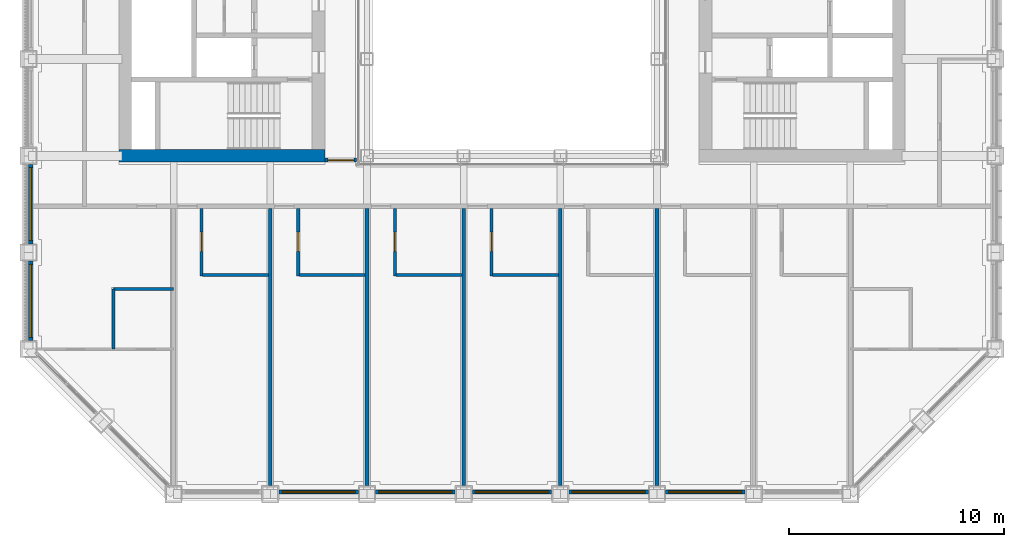
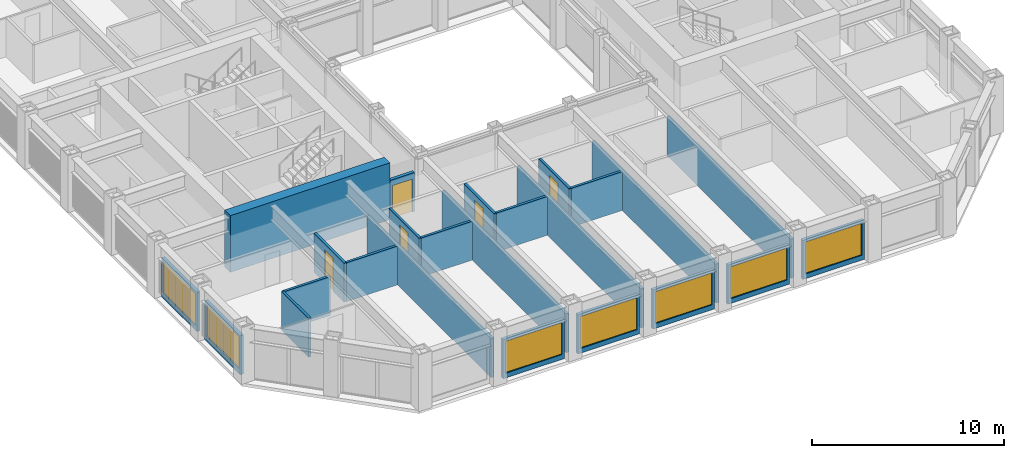
# One storey, part 10 of 18: 24 walls, 7 windows, 5 doors, 12 openings.
"""IFC4 building model written with IfcOpenShell, lengths in metres."""

from ifc_helpers import new_model, si_unit, direction, frame, frame_2d, origin, place, context, subcontext, project, spatial, rectangle, extrude, material, layer, layer_set, type_object, element, fill, save


model = new_model("IFC4")

# Units and contexts
model_context = context("Model", 3, precision=1e-05, world=origin(), true_north=direction((0.0, 1.0)))
body_context = subcontext(model_context, "Body", "Model", "MODEL_VIEW")
ifc_project = project(units=[si_unit("LENGTHUNIT", "METRE"), si_unit("AREAUNIT", "SQUARE_METRE"), si_unit("VOLUMEUNIT", "CUBIC_METRE"), si_unit("PLANEANGLEUNIT", "RADIAN"), si_unit("MASSUNIT", "GRAM", prefix="KILO")], contexts=[model_context])

# Site, building, storey
site_placement = place(None, origin())
site = spatial("IfcSite", under=ifc_project, at=site_placement, CompositionType="ELEMENT")
building_placement = place(site_placement, origin())
building = spatial("IfcBuilding", under=site, at=building_placement, Name="Msasa Ring Tower", CompositionType="ELEMENT")
storey_placement = place(building_placement, frame((0.0, 0.0, 118.39990234375)))
storey = spatial("IfcBuildingStorey", under=building, at=storey_placement, Name="L30", CompositionType="ELEMENT", Elevation=118.39990234375)

# Wall
ifc_material_1 = material(Name="Concrete C60/75", Category="concrete")
ifc_layer_1 = layer(ifc_material_1, 0.60009765625)
ifc_layer_set_1 = layer_set([ifc_layer_1], Name="CW2 CORE WALL 600")
wall_type_1 = type_object("IfcWallType", Name="CW2 CORE WALL 600", PredefinedType="SHEAR", material=ifc_layer_set_1)
wall_1_placement = place(storey_placement, frame((-8.699951171875, -6.75, 0.0), z_axis=(0.0, 0.0, 1.0), x_axis=(-1.0, 0.0, 0.0)))
element("IfcWall", 1, at=wall_1_placement, inside=storey, type_object=wall_type_1, Name="W core wall S L30", PredefinedType="SHEAR", context=body_context, shape_type="SweptSolid", body=[
    extrude(rectangle(XDim=9.60009765625, YDim=0.60009765625, at=frame_2d((4.800048828125, 0.0))), origin(), (0.0, 0.0, 1.0), 3.60009765625),
])

# Wall, opening, window
ifc_material_2 = material(Name="Terracotta rainscreen on blockwork", Category="masonry")
ifc_layer_2 = layer(ifc_material_2, 0.199951171875)
ifc_layer_set_2 = layer_set([ifc_layer_2], Name="FW1 TERRACOTTA-LINED INFILL BAY WALL 200")
wall_type_2 = type_object("IfcWallType", Name="FW1 TERRACOTTA-LINED INFILL BAY WALL 200", PredefinedType="SOLIDWALL", material=ifc_layer_set_2)
wall_2_placement = place(storey_placement, frame((-10.844970703125, -22.39990234375, 0.0), z_axis=(0.0, 0.0, 1.0), x_axis=(1.0, 0.0, 0.0)))
wall_2 = element("IfcWall", 2, at=wall_2_placement, inside=storey, type_object=wall_type_2, Name="Infill bay wall S L30 01", PredefinedType="SOLIDWALL", context=body_context, shape_type="SweptSolid", body=[
    extrude(rectangle(XDim=3.68994140625, YDim=0.199951171875, at=frame_2d((1.844970703125, 0.0))), origin(), (0.0, 0.0, 1.0), 2.47900390625),
])
opening_1_placement = place(wall_2_placement, frame((0.14501953125, 0.0, 0.300048828125)))
opening_1 = element("IfcOpeningElement", 3, at=opening_1_placement, cuts=wall_2, Name="Opening WN2", PredefinedType="OPENING", context=body_context, shape_type="SweptSolid", body=[
    extrude(rectangle(XDim=3.39990234375, YDim=2.029052734375, at=frame_2d((1.699951171875, 1.0146484375))), frame((0.0, 0.10986328125, 0.0), z_axis=(0.0, -1.0, 0.0), x_axis=(1.0, 0.0, 0.0)), (0.0, 0.0, 1.0), 0.219970703125),
])
ifc_material_3 = material(Name="Aluminium frame with clear glass", Category="aluminium")
window_type = type_object("IfcWindowType", Name="WN2 GUEST ROOM WINDOW 3400x2029", PartitioningType="SINGLE_PANEL", PredefinedType="WINDOW", material=ifc_material_3)
window_1_placement = place(opening_1_placement, origin())
window_1 = element("IfcWindow", 4, at=window_1_placement, inside=storey, type_object=window_type, Name="Window S L30 01", OverallHeight=2.029052734375, OverallWidth=3.39990234375, PartitioningType="SINGLE_PANEL", PredefinedType="WINDOW", context=body_context, shape_type="SweptSolid", body=[
    extrude(rectangle(XDim=3.39990234375, YDim=2.029052734375, at=frame_2d((1.699951171875, 1.0146484375))), frame((0.0, 0.030029296875, 0.0), z_axis=(0.0, -1.0, 0.0), x_axis=(1.0, 0.0, 0.0)), (0.0, 0.0, 1.0), 0.06005859375),
])
fill(opening_1, window_1)

wall_3_placement = place(storey_placement, frame((-6.344970703125, -22.39990234375, 0.0), z_axis=(0.0, 0.0, 1.0), x_axis=(1.0, 0.0, 0.0)))
wall_3 = element("IfcWall", 5, at=wall_3_placement, inside=storey, type_object=wall_type_2, Name="Infill bay wall S L30 02", PredefinedType="SOLIDWALL", context=body_context, shape_type="SweptSolid", body=[
    extrude(rectangle(XDim=3.68994140625, YDim=0.199951171875, at=frame_2d((1.844970703125, 0.0))), origin(), (0.0, 0.0, 1.0), 2.47900390625),
])
opening_2_placement = place(wall_3_placement, frame((0.14501953125, 0.0, 0.300048828125)))
opening_2 = element("IfcOpeningElement", 6, at=opening_2_placement, cuts=wall_3, Name="Opening WN2", PredefinedType="OPENING", context=body_context, shape_type="SweptSolid", body=[
    extrude(rectangle(XDim=3.39990234375, YDim=2.029052734375, at=frame_2d((1.699951171875, 1.0146484375))), frame((0.0, 0.10986328125, 0.0), z_axis=(0.0, -1.0, 0.0), x_axis=(1.0, 0.0, 0.0)), (0.0, 0.0, 1.0), 0.219970703125),
])
window_2_placement = place(opening_2_placement, origin())
window_2 = element("IfcWindow", 7, at=window_2_placement, inside=storey, type_object=window_type, Name="Window S L30 02", OverallHeight=2.029052734375, OverallWidth=3.39990234375, PartitioningType="SINGLE_PANEL", PredefinedType="WINDOW", context=body_context, shape_type="SweptSolid", body=[
    extrude(rectangle(XDim=3.39990234375, YDim=2.029052734375, at=frame_2d((1.699951171875, 1.0146484375))), frame((0.0, 0.030029296875, 0.0), z_axis=(0.0, -1.0, 0.0), x_axis=(1.0, 0.0, 0.0)), (0.0, 0.0, 1.0), 0.06005859375),
])
fill(opening_2, window_2)

wall_4_placement = place(storey_placement, frame((-1.844970703125, -22.39990234375, 0.0), z_axis=(0.0, 0.0, 1.0), x_axis=(1.0, 0.0, 0.0)))
wall_4 = element("IfcWall", 8, at=wall_4_placement, inside=storey, type_object=wall_type_2, Name="Infill bay wall S L30 03", PredefinedType="SOLIDWALL", context=body_context, shape_type="SweptSolid", body=[
    extrude(rectangle(XDim=3.68994140625, YDim=0.199951171875, at=frame_2d((1.844970703125, 0.0))), origin(), (0.0, 0.0, 1.0), 2.47900390625),
])
opening_3_placement = place(wall_4_placement, frame((0.14501953125, 0.0, 0.300048828125)))
opening_3 = element("IfcOpeningElement", 9, at=opening_3_placement, cuts=wall_4, Name="Opening WN2", PredefinedType="OPENING", context=body_context, shape_type="SweptSolid", body=[
    extrude(rectangle(XDim=3.39990234375, YDim=2.029052734375, at=frame_2d((1.699951171875, 1.0146484375))), frame((0.0, 0.10986328125, 0.0), z_axis=(0.0, -1.0, 0.0), x_axis=(1.0, 0.0, 0.0)), (0.0, 0.0, 1.0), 0.219970703125),
])
window_3_placement = place(opening_3_placement, origin())
window_3 = element("IfcWindow", 10, at=window_3_placement, inside=storey, type_object=window_type, Name="Window S L30 03", OverallHeight=2.029052734375, OverallWidth=3.39990234375, PartitioningType="SINGLE_PANEL", PredefinedType="WINDOW", context=body_context, shape_type="SweptSolid", body=[
    extrude(rectangle(XDim=3.39990234375, YDim=2.029052734375, at=frame_2d((1.699951171875, 1.0146484375))), frame((0.0, 0.030029296875, 0.0), z_axis=(0.0, -1.0, 0.0), x_axis=(1.0, 0.0, 0.0)), (0.0, 0.0, 1.0), 0.06005859375),
])
fill(opening_3, window_3)

wall_5_placement = place(storey_placement, frame((2.655029296875, -22.39990234375, 0.0), z_axis=(0.0, 0.0, 1.0), x_axis=(1.0, 0.0, 0.0)))
wall_5 = element("IfcWall", 11, at=wall_5_placement, inside=storey, type_object=wall_type_2, Name="Infill bay wall S L30 04", PredefinedType="SOLIDWALL", context=body_context, shape_type="SweptSolid", body=[
    extrude(rectangle(XDim=3.68994140625, YDim=0.199951171875, at=frame_2d((1.844970703125, 0.0))), origin(), (0.0, 0.0, 1.0), 2.47900390625),
])
opening_4_placement = place(wall_5_placement, frame((0.14501953125, 0.0, 0.300048828125)))
opening_4 = element("IfcOpeningElement", 12, at=opening_4_placement, cuts=wall_5, Name="Opening WN2", PredefinedType="OPENING", context=body_context, shape_type="SweptSolid", body=[
    extrude(rectangle(XDim=3.39990234375, YDim=2.029052734375, at=frame_2d((1.699951171875, 1.0146484375))), frame((0.0, 0.10986328125, 0.0), z_axis=(0.0, -1.0, 0.0), x_axis=(1.0, 0.0, 0.0)), (0.0, 0.0, 1.0), 0.219970703125),
])
window_4_placement = place(opening_4_placement, origin())
window_4 = element("IfcWindow", 13, at=window_4_placement, inside=storey, type_object=window_type, Name="Window S L30 04", OverallHeight=2.029052734375, OverallWidth=3.39990234375, PartitioningType="SINGLE_PANEL", PredefinedType="WINDOW", context=body_context, shape_type="SweptSolid", body=[
    extrude(rectangle(XDim=3.39990234375, YDim=2.029052734375, at=frame_2d((1.699951171875, 1.0146484375))), frame((0.0, 0.030029296875, 0.0), z_axis=(0.0, -1.0, 0.0), x_axis=(1.0, 0.0, 0.0)), (0.0, 0.0, 1.0), 0.06005859375),
])
fill(opening_4, window_4)

wall_6_placement = place(storey_placement, frame((7.155029296875, -22.39990234375, 0.0), z_axis=(0.0, 0.0, 1.0), x_axis=(1.0, 0.0, 0.0)))
wall_6 = element("IfcWall", 14, at=wall_6_placement, inside=storey, type_object=wall_type_2, Name="Infill bay wall S L30 05", PredefinedType="SOLIDWALL", context=body_context, shape_type="SweptSolid", body=[
    extrude(rectangle(XDim=3.68994140625, YDim=0.199951171875, at=frame_2d((1.844970703125, 0.0))), origin(), (0.0, 0.0, 1.0), 2.47900390625),
])
opening_5_placement = place(wall_6_placement, frame((0.14501953125, 0.0, 0.300048828125)))
opening_5 = element("IfcOpeningElement", 15, at=opening_5_placement, cuts=wall_6, Name="Opening WN2", PredefinedType="OPENING", context=body_context, shape_type="SweptSolid", body=[
    extrude(rectangle(XDim=3.39990234375, YDim=2.029052734375, at=frame_2d((1.699951171875, 1.0146484375))), frame((0.0, 0.10986328125, 0.0), z_axis=(0.0, -1.0, 0.0), x_axis=(1.0, 0.0, 0.0)), (0.0, 0.0, 1.0), 0.219970703125),
])
window_5_placement = place(opening_5_placement, origin())
window_5 = element("IfcWindow", 16, at=window_5_placement, inside=storey, type_object=window_type, Name="Window S L30 05", OverallHeight=2.029052734375, OverallWidth=3.39990234375, PartitioningType="SINGLE_PANEL", PredefinedType="WINDOW", context=body_context, shape_type="SweptSolid", body=[
    extrude(rectangle(XDim=3.39990234375, YDim=2.029052734375, at=frame_2d((1.699951171875, 1.0146484375))), frame((0.0, 0.030029296875, 0.0), z_axis=(0.0, -1.0, 0.0), x_axis=(1.0, 0.0, 0.0)), (0.0, 0.0, 1.0), 0.06005859375),
])
fill(opening_5, window_5)

wall_7_placement = place(storey_placement, frame((-22.39990234375, -15.344970703125, 0.0), z_axis=(0.0, 0.0, 1.0), x_axis=(0.0, 1.0, 0.0)))
wall_7 = element("IfcWall", 17, at=wall_7_placement, inside=storey, type_object=wall_type_2, Name="Infill bay wall W L30 27", PredefinedType="SOLIDWALL", context=body_context, shape_type="SweptSolid", body=[
    extrude(rectangle(XDim=3.68994140625, YDim=0.199951171875, at=frame_2d((1.844970703125, 0.0))), origin(), (0.0, 0.0, 1.0), 2.47900390625),
])
opening_6_placement = place(wall_7_placement, frame((0.14501953125, 0.0, 0.300048828125)))
opening_6 = element("IfcOpeningElement", 18, at=opening_6_placement, cuts=wall_7, Name="Opening WN2", PredefinedType="OPENING", context=body_context, shape_type="SweptSolid", body=[
    extrude(rectangle(XDim=3.39990234375, YDim=2.029052734375, at=frame_2d((1.699951171875, 1.0146484375))), frame((0.0, 0.10986328125, 0.0), z_axis=(0.0, -1.0, 0.0), x_axis=(1.0, 0.0, 0.0)), (0.0, 0.0, 1.0), 0.219970703125),
])
window_6_placement = place(opening_6_placement, origin())
window_6 = element("IfcWindow", 19, at=window_6_placement, inside=storey, type_object=window_type, Name="Window W L30 27", OverallHeight=2.029052734375, OverallWidth=3.39990234375, PartitioningType="SINGLE_PANEL", PredefinedType="WINDOW", context=body_context, shape_type="SweptSolid", body=[
    extrude(rectangle(XDim=3.39990234375, YDim=2.029052734375, at=frame_2d((1.699951171875, 1.0146484375))), frame((0.0, 0.030029296875, 0.0), z_axis=(0.0, -1.0, 0.0), x_axis=(1.0, 0.0, 0.0)), (0.0, 0.0, 1.0), 0.06005859375),
])
fill(opening_6, window_6)

wall_8_placement = place(storey_placement, frame((-22.39990234375, -10.844970703125, 0.0), z_axis=(0.0, 0.0, 1.0), x_axis=(0.0, 1.0, 0.0)))
wall_8 = element("IfcWall", 20, at=wall_8_placement, inside=storey, type_object=wall_type_2, Name="Infill bay wall W L30 28", PredefinedType="SOLIDWALL", context=body_context, shape_type="SweptSolid", body=[
    extrude(rectangle(XDim=3.68994140625, YDim=0.199951171875, at=frame_2d((1.844970703125, 0.0))), origin(), (0.0, 0.0, 1.0), 2.47900390625),
])
opening_7_placement = place(wall_8_placement, frame((0.14501953125, 0.0, 0.300048828125)))
opening_7 = element("IfcOpeningElement", 21, at=opening_7_placement, cuts=wall_8, Name="Opening WN2", PredefinedType="OPENING", context=body_context, shape_type="SweptSolid", body=[
    extrude(rectangle(XDim=3.39990234375, YDim=2.029052734375, at=frame_2d((1.699951171875, 1.0146484375))), frame((0.0, 0.10986328125, 0.0), z_axis=(0.0, -1.0, 0.0), x_axis=(1.0, 0.0, 0.0)), (0.0, 0.0, 1.0), 0.219970703125),
])
window_7_placement = place(opening_7_placement, origin())
window_7 = element("IfcWindow", 22, at=window_7_placement, inside=storey, type_object=window_type, Name="Window W L30 28", OverallHeight=2.029052734375, OverallWidth=3.39990234375, PartitioningType="SINGLE_PANEL", PredefinedType="WINDOW", context=body_context, shape_type="SweptSolid", body=[
    extrude(rectangle(XDim=3.39990234375, YDim=2.029052734375, at=frame_2d((1.699951171875, 1.0146484375))), frame((0.0, 0.030029296875, 0.0), z_axis=(0.0, -1.0, 0.0), x_axis=(1.0, 0.0, 0.0)), (0.0, 0.0, 1.0), 0.06005859375),
])
fill(opening_7, window_7)

# Wall, opening, door
ifc_material_4 = material(Name="Concrete blockwork", Category="masonry")
ifc_layer_3 = layer(ifc_material_4, 0.199951171875)
ifc_layer_set_3 = layer_set([ifc_layer_3], Name="PT1 CORRIDOR WALL 200")
wall_type_3 = type_object("IfcWallType", Name="PT1 CORRIDOR WALL 200", PredefinedType="PARTITIONING", material=ifc_layer_set_3)
wall_9_placement = place(storey_placement, frame((-8.699951171875, -6.949951171875, 0.0), z_axis=(0.0, 0.0, 1.0), x_axis=(1.0, 0.0, 0.0)))
wall_9 = element("IfcWall", 23, at=wall_9_placement, inside=storey, type_object=wall_type_3, Name="Corridor wall L30-SDWS", PredefinedType="PARTITIONING", context=body_context, shape_type="SweptSolid", body=[
    extrude(rectangle(XDim=1.469970703125, YDim=0.199951171875, at=frame_2d((0.73486328125, 0.0))), origin(), (0.0, 0.0, 1.0), 2.473388671875),
])
opening_8_placement = place(wall_9_placement, frame((0.135009765625, 0.0, 0.0)))
opening_8 = element("IfcOpeningElement", 24, at=opening_8_placement, cuts=wall_9, Name="Opening HA-038", PredefinedType="OPENING", context=body_context, shape_type="SweptSolid", body=[
    extrude(rectangle(XDim=1.199951171875, YDim=2.10009765625, at=frame_2d((0.60009765625, 1.050048828125))), frame((0.0, 0.10986328125, 0.0), z_axis=(0.0, -1.0, 0.0), x_axis=(1.0, 0.0, 0.0)), (0.0, 0.0, 1.0), 0.219970703125),
])
ifc_material_5 = material(Name="Timber door leaf in a steel frame", Category="steel")
door_type_1 = type_object("IfcDoorType", Name="D25 CORRIDOR PAIR OF SMOKE DOORS 1200x2100", OperationType="DOUBLE_DOOR_DOUBLE_SWING", PredefinedType="DOOR", material=ifc_material_5)
door_1_placement = place(opening_8_placement, origin())
door_1 = element("IfcDoor", 25, at=door_1_placement, inside=storey, type_object=door_type_1, Name="Door L30-SDWS", OperationType="DOUBLE_DOOR_DOUBLE_SWING", OverallHeight=2.10009765625, OverallWidth=1.199951171875, PredefinedType="DOOR", context=body_context, shape_type="SweptSolid", body=[
    extrude(rectangle(XDim=1.199951171875, YDim=2.10009765625, at=frame_2d((0.60009765625, 1.050048828125))), frame((0.0, 0.02490234375, 0.0), z_axis=(0.0, -1.0, 0.0), x_axis=(1.0, 0.0, 0.0)), (0.0, 0.0, 1.0), 0.050048828125),
])
fill(opening_8, door_1)

ifc_material_6 = material(Name="Moisture-resistant board on steel studs with a concealed cistern and pipe void, tiled", Category="steel")
ifc_layer_4 = layer(ifc_material_6, 0.14990234375)
ifc_layer_set_4 = layer_set([ifc_layer_4], Name="PT4 BATHROOM WET WALL 150")
wall_type_4 = type_object("IfcWallType", Name="PT4 BATHROOM WET WALL 150", PredefinedType="PARTITIONING", material=ifc_layer_set_4)
wall_10_placement = place(storey_placement, frame((-14.449951171875, -12.35009765625, 0.0), z_axis=(0.0, 0.0, 1.0), x_axis=(0.0, 1.0, 0.0)))
wall_10 = element("IfcWall", 26, at=wall_10_placement, inside=storey, type_object=wall_type_4, Name="Partition L30-GS00BX", PredefinedType="PARTITIONING", context=body_context, shape_type="SweptSolid", body=[
    extrude(rectangle(XDim=3.150146484375, YDim=0.14990234375, at=frame_2d((1.5751953125, 0.0))), origin(), (0.0, 0.0, 1.0), 2.473388671875),
])
opening_9_placement = place(wall_10_placement, frame((1.14990234375, 0.0, 0.0)))
opening_9 = element("IfcOpeningElement", 27, at=opening_9_placement, cuts=wall_10, Name="Opening HA-048", PredefinedType="OPENING", context=body_context, shape_type="SweptSolid", body=[
    extrude(rectangle(XDim=0.89990234375, YDim=2.10009765625, at=frame_2d((0.449951171875, 1.050048828125))), frame((0.0, 0.0849609375, 0.0), z_axis=(0.0, -1.0, 0.0), x_axis=(1.0, 0.0, 0.0)), (0.0, 0.0, 1.0), 0.169921875),
])
ifc_material_7 = material(Name="Timber door leaf in a steel frame", Category="steel")
door_type_2 = type_object("IfcDoorType", Name="D3 BATHROOM DOOR 900x2100", OperationType="SINGLE_SWING_LEFT", PredefinedType="DOOR", material=ifc_material_7)
door_2_placement = place(opening_9_placement, origin())
door_2 = element("IfcDoor", 28, at=door_2_placement, inside=storey, type_object=door_type_2, Name="Door L30-GS00B", OperationType="SINGLE_SWING_LEFT", OverallHeight=2.10009765625, OverallWidth=0.89990234375, PredefinedType="DOOR", context=body_context, shape_type="SweptSolid", body=[
    extrude(rectangle(XDim=0.89990234375, YDim=2.10009765625, at=frame_2d((0.449951171875, 1.050048828125))), frame((0.0, 0.02490234375, 0.0), z_axis=(0.0, -1.0, 0.0), x_axis=(1.0, 0.0, 0.0)), (0.0, 0.0, 1.0), 0.050048828125),
])
fill(opening_9, door_2)

# Wall
wall_11_placement = place(storey_placement, frame((-14.39990234375, -12.300048828125, 0.0), z_axis=(0.0, 0.0, 1.0), x_axis=(1.0, 0.0, 0.0)))
element("IfcWall", 29, at=wall_11_placement, inside=storey, type_object=wall_type_4, Name="Partition L30-GS00BY", PredefinedType="PARTITIONING", context=body_context, shape_type="SweptSolid", body=[
    extrude(rectangle(XDim=3.0625, YDim=0.14990234375, at=frame_2d((1.53125, 0.0))), origin(), (0.0, 0.0, 1.0), 2.473388671875),
])

# Wall, opening, door
wall_12_placement = place(storey_placement, frame((-9.949951171875, -12.35009765625, 0.0), z_axis=(0.0, 0.0, 1.0), x_axis=(0.0, 1.0, 0.0)))
wall_12 = element("IfcWall", 30, at=wall_12_placement, inside=storey, type_object=wall_type_4, Name="Partition L30-GS01BX", PredefinedType="PARTITIONING", context=body_context, shape_type="SweptSolid", body=[
    extrude(rectangle(XDim=3.150146484375, YDim=0.14990234375, at=frame_2d((1.5751953125, 0.0))), origin(), (0.0, 0.0, 1.0), 2.473388671875),
])
opening_10_placement = place(wall_12_placement, frame((1.14990234375, 0.0, 0.0)))
opening_10 = element("IfcOpeningElement", 31, at=opening_10_placement, cuts=wall_12, Name="Opening HA-049", PredefinedType="OPENING", context=body_context, shape_type="SweptSolid", body=[
    extrude(rectangle(XDim=0.89990234375, YDim=2.10009765625, at=frame_2d((0.449951171875, 1.050048828125))), frame((0.0, 0.0849609375, 0.0), z_axis=(0.0, -1.0, 0.0), x_axis=(1.0, 0.0, 0.0)), (0.0, 0.0, 1.0), 0.169921875),
])
door_3_placement = place(opening_10_placement, origin())
door_3 = element("IfcDoor", 32, at=door_3_placement, inside=storey, type_object=door_type_2, Name="Door L30-GS01B", OperationType="SINGLE_SWING_LEFT", OverallHeight=2.10009765625, OverallWidth=0.89990234375, PredefinedType="DOOR", context=body_context, shape_type="SweptSolid", body=[
    extrude(rectangle(XDim=0.89990234375, YDim=2.10009765625, at=frame_2d((0.449951171875, 1.050048828125))), frame((0.0, 0.02490234375, 0.0), z_axis=(0.0, -1.0, 0.0), x_axis=(1.0, 0.0, 0.0)), (0.0, 0.0, 1.0), 0.050048828125),
])
fill(opening_10, door_3)

# Wall
wall_13_placement = place(storey_placement, frame((-9.89990234375, -12.300048828125, 0.0), z_axis=(0.0, 0.0, 1.0), x_axis=(1.0, 0.0, 0.0)))
element("IfcWall", 33, at=wall_13_placement, inside=storey, type_object=wall_type_4, Name="Partition L30-GS01BY", PredefinedType="PARTITIONING", context=body_context, shape_type="SweptSolid", body=[
    extrude(rectangle(XDim=3.0625, YDim=0.14990234375, at=frame_2d((1.53125, 0.0))), origin(), (0.0, 0.0, 1.0), 2.473388671875),
])

# Wall, opening, door
wall_14_placement = place(storey_placement, frame((-5.449951171875, -12.35009765625, 0.0), z_axis=(0.0, 0.0, 1.0), x_axis=(0.0, 1.0, 0.0)))
wall_14 = element("IfcWall", 34, at=wall_14_placement, inside=storey, type_object=wall_type_4, Name="Partition L30-GS02BX", PredefinedType="PARTITIONING", context=body_context, shape_type="SweptSolid", body=[
    extrude(rectangle(XDim=3.150146484375, YDim=0.14990234375, at=frame_2d((1.5751953125, 0.0))), origin(), (0.0, 0.0, 1.0), 2.473388671875),
])
opening_11_placement = place(wall_14_placement, frame((1.14990234375, 0.0, 0.0)))
opening_11 = element("IfcOpeningElement", 35, at=opening_11_placement, cuts=wall_14, Name="Opening HA-050", PredefinedType="OPENING", context=body_context, shape_type="SweptSolid", body=[
    extrude(rectangle(XDim=0.89990234375, YDim=2.10009765625, at=frame_2d((0.449951171875, 1.050048828125))), frame((0.0, 0.0849609375, 0.0), z_axis=(0.0, -1.0, 0.0), x_axis=(1.0, 0.0, 0.0)), (0.0, 0.0, 1.0), 0.169921875),
])
door_4_placement = place(opening_11_placement, origin())
door_4 = element("IfcDoor", 36, at=door_4_placement, inside=storey, type_object=door_type_2, Name="Door L30-GS02B", OperationType="SINGLE_SWING_LEFT", OverallHeight=2.10009765625, OverallWidth=0.89990234375, PredefinedType="DOOR", context=body_context, shape_type="SweptSolid", body=[
    extrude(rectangle(XDim=0.89990234375, YDim=2.10009765625, at=frame_2d((0.449951171875, 1.050048828125))), frame((0.0, 0.02490234375, 0.0), z_axis=(0.0, -1.0, 0.0), x_axis=(1.0, 0.0, 0.0)), (0.0, 0.0, 1.0), 0.050048828125),
])
fill(opening_11, door_4)

# Wall
wall_15_placement = place(storey_placement, frame((-5.39990234375, -12.300048828125, 0.0), z_axis=(0.0, 0.0, 1.0), x_axis=(1.0, 0.0, 0.0)))
element("IfcWall", 37, at=wall_15_placement, inside=storey, type_object=wall_type_4, Name="Partition L30-GS02BY", PredefinedType="PARTITIONING", context=body_context, shape_type="SweptSolid", body=[
    extrude(rectangle(XDim=3.0625, YDim=0.14990234375, at=frame_2d((1.53125, 0.0))), origin(), (0.0, 0.0, 1.0), 2.473388671875),
])

# Wall, opening, door
wall_16_placement = place(storey_placement, frame((-0.949951171875, -12.35009765625, 0.0), z_axis=(0.0, 0.0, 1.0), x_axis=(0.0, 1.0, 0.0)))
wall_16 = element("IfcWall", 38, at=wall_16_placement, inside=storey, type_object=wall_type_4, Name="Partition L30-GS03BX", PredefinedType="PARTITIONING", context=body_context, shape_type="SweptSolid", body=[
    extrude(rectangle(XDim=3.150146484375, YDim=0.14990234375, at=frame_2d((1.5751953125, 0.0))), origin(), (0.0, 0.0, 1.0), 2.473388671875),
])
opening_12_placement = place(wall_16_placement, frame((1.14990234375, 0.0, 0.0)))
opening_12 = element("IfcOpeningElement", 39, at=opening_12_placement, cuts=wall_16, Name="Opening HA-051", PredefinedType="OPENING", context=body_context, shape_type="SweptSolid", body=[
    extrude(rectangle(XDim=0.89990234375, YDim=2.10009765625, at=frame_2d((0.449951171875, 1.050048828125))), frame((0.0, 0.0849609375, 0.0), z_axis=(0.0, -1.0, 0.0), x_axis=(1.0, 0.0, 0.0)), (0.0, 0.0, 1.0), 0.169921875),
])
door_5_placement = place(opening_12_placement, origin())
door_5 = element("IfcDoor", 40, at=door_5_placement, inside=storey, type_object=door_type_2, Name="Door L30-GS03B", OperationType="SINGLE_SWING_LEFT", OverallHeight=2.10009765625, OverallWidth=0.89990234375, PredefinedType="DOOR", context=body_context, shape_type="SweptSolid", body=[
    extrude(rectangle(XDim=0.89990234375, YDim=2.10009765625, at=frame_2d((0.449951171875, 1.050048828125))), frame((0.0, 0.02490234375, 0.0), z_axis=(0.0, -1.0, 0.0), x_axis=(1.0, 0.0, 0.0)), (0.0, 0.0, 1.0), 0.050048828125),
])
fill(opening_12, door_5)

# Walls
wall_17_placement = place(storey_placement, frame((-0.89990234375, -12.300048828125, 0.0), z_axis=(0.0, 0.0, 1.0), x_axis=(1.0, 0.0, 0.0)))
element("IfcWall", 41, at=wall_17_placement, inside=storey, type_object=wall_type_4, Name="Partition L30-GS03BY", PredefinedType="PARTITIONING", context=body_context, shape_type="SweptSolid", body=[
    extrude(rectangle(XDim=3.0625, YDim=0.14990234375, at=frame_2d((1.53125, 0.0))), origin(), (0.0, 0.0, 1.0), 2.473388671875),
])
for number, where, z_axis, x_axis, name in (
    (42, (-18.550048828125, -15.75, 0.0), (0.0, 0.0, 1.0), (0.0, 1.0, 0.0), "Partition L30-CSSWBX"),
    (43, (-18.550048828125, -12.949951171875, 0.0), (0.0, 0.0, 1.0), (1.0, 0.0, 0.0), "Partition L30-CSSWBY"),
):
    element("IfcWall", number, at=place(storey_placement, frame(where, z_axis=z_axis, x_axis=x_axis)), inside=storey, type_object=wall_type_4, Name=name, PredefinedType="PARTITIONING", context=body_context, shape_type="SweptSolid", body=[
        extrude(rectangle(XDim=2.800048828125, YDim=0.14990234375, at=frame_2d((1.39990234375, 0.0))), origin(), (0.0, 0.0, 1.0), 2.473388671875),
    ])
ifc_material_8 = material(Name="Twin steel studs, two layers of acoustic board each face, mineral wool", Category="steel")
ifc_layer_5 = layer(ifc_material_8, 0.175048828125)
ifc_layer_set_5 = layer_set([ifc_layer_5], Name="PT5 GUEST ROOM SEPARATING WALL 175")
wall_type_5 = type_object("IfcWallType", Name="PT5 GUEST ROOM SEPARATING WALL 175", PredefinedType="PARTITIONING", material=ifc_layer_set_5)
for number, where, z_axis, x_axis, name in (
    (44, (-11.25, -22.10009765625, 0.0), (0.0, 0.0, 1.0), (0.0, 1.0, 0.0), "Partition L30-PWS-11.25"),
    (45, (-6.75, -22.10009765625, 0.0), (0.0, 0.0, 1.0), (0.0, 1.0, 0.0), "Partition L30-PWS-6.75"),
    (46, (-2.25, -22.10009765625, 0.0), (0.0, 0.0, 1.0), (0.0, 1.0, 0.0), "Partition L30-PWS-2.25"),
    (47, (2.25, -22.10009765625, 0.0), (0.0, 0.0, 1.0), (0.0, 1.0, 0.0), "Partition L30-PWS+2.25"),
    (48, (6.75, -22.10009765625, 0.0), (0.0, 0.0, 1.0), (0.0, 1.0, 0.0), "Partition L30-PWS+6.75"),
):
    element("IfcWall", number, at=place(storey_placement, frame(where, z_axis=z_axis, x_axis=x_axis)), inside=storey, type_object=wall_type_5, Name=name, PredefinedType="PARTITIONING", context=body_context, shape_type="SweptSolid", body=[
        extrude(rectangle(XDim=12.900146484375, YDim=0.175048828125, at=frame_2d((6.4501953125, 0.0))), origin(), (0.0, 0.0, 1.0), 2.473388671875),
    ])

save(model, "model.ifc")
